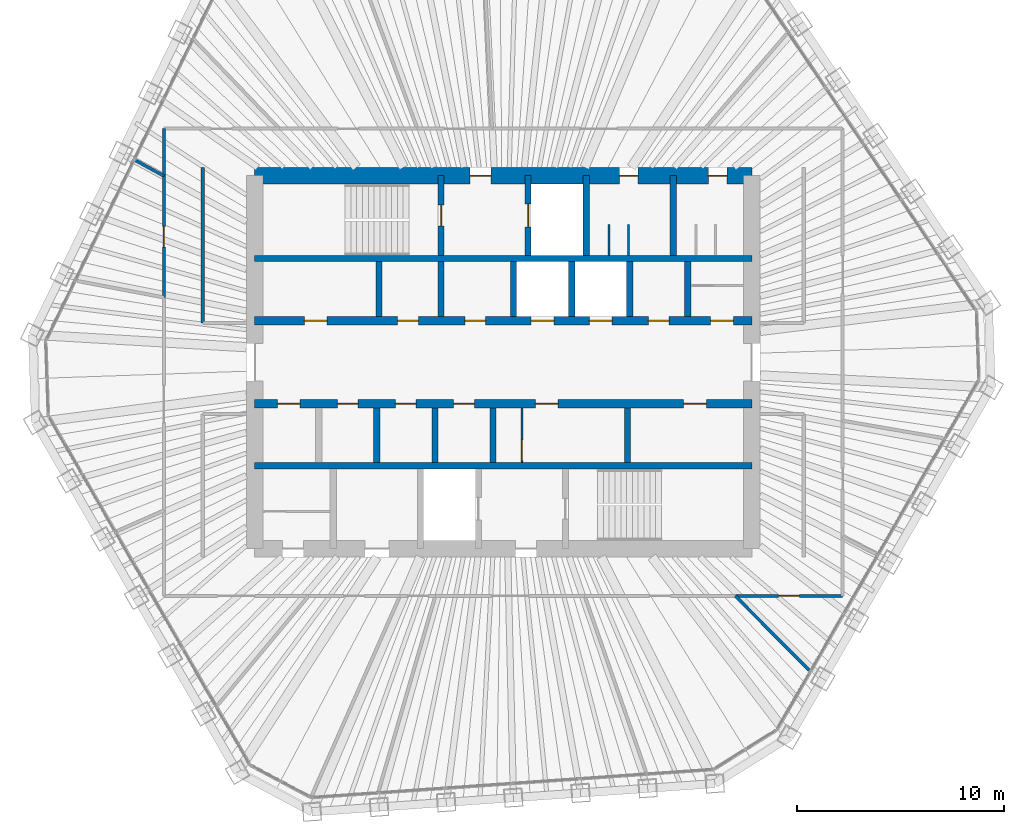
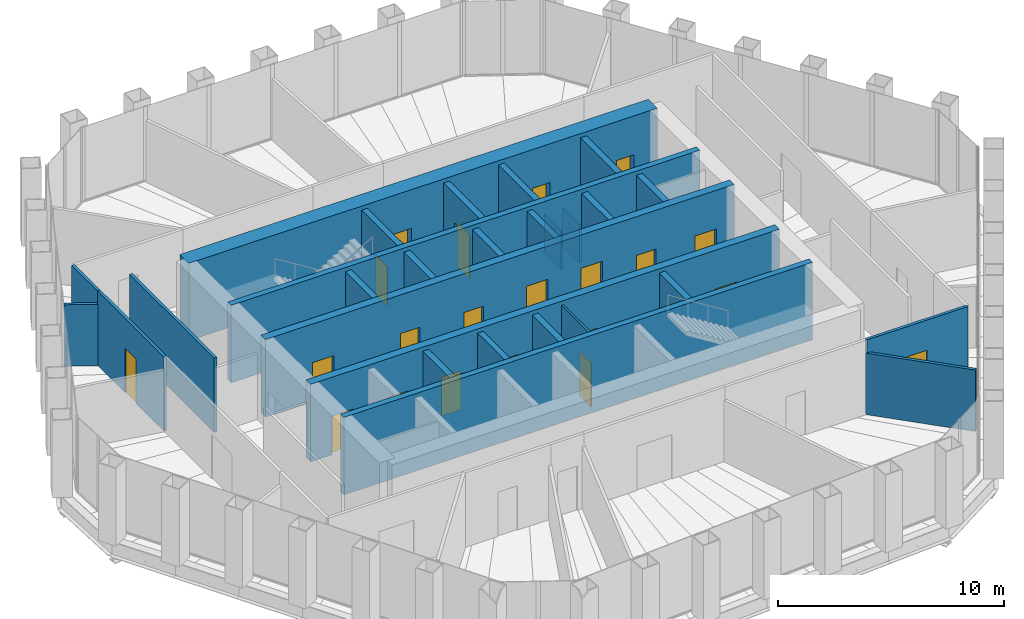
# One storey, part 12 of 14: 28 walls, 21 doors, 21 openings.
"""IFC4 building model written with IfcOpenShell, lengths in metres."""

from ifc_helpers import new_model, si_unit, direction, frame, frame_2d, origin, place, context, subcontext, project, spatial, rectangle, extrude, material, layer, layer_set, type_object, element, fill, save


model = new_model("IFC4")

# Units and contexts
model_context = context("Model", 3, precision=1e-05, world=origin(), true_north=direction((0.0, 1.0)))
body_context = subcontext(model_context, "Body", "Model", "MODEL_VIEW")
ifc_project = project(units=[si_unit("LENGTHUNIT", "METRE"), si_unit("AREAUNIT", "SQUARE_METRE"), si_unit("VOLUMEUNIT", "CUBIC_METRE"), si_unit("PLANEANGLEUNIT", "RADIAN"), si_unit("MASSUNIT", "GRAM", prefix="KILO")], contexts=[model_context])

# Site, building, storey
site_placement = place(None, origin())
site = spatial("IfcSite", under=ifc_project, at=site_placement, CompositionType="ELEMENT")
building_placement = place(site_placement, origin())
building = spatial("IfcBuilding", under=site, at=building_placement, Name="Qingtian Harvest Tower", CompositionType="ELEMENT")
storey_placement = place(building_placement, frame((0.0, 0.0, 308.199951171875)))
storey = spatial("IfcBuildingStorey", under=building, at=storey_placement, Name="L68", CompositionType="ELEMENT", Elevation=308.199951171875)

# Walls
ifc_material_1 = material(Name="Concrete fc' 70 MPa", Category="concrete")
ifc_layer_1 = layer(ifc_material_1, 0.300048828125)
ifc_layer_set_1 = layer_set([ifc_layer_1], Name="Core inner wall RC5 300")
wall_type_1 = type_object("IfcWallType", Name="Core inner wall RC5 300", PredefinedType="SHEAR", material=ifc_layer_set_1)
for number, where, z_axis, x_axis, name in (
    (1, (-12.0, 5.0, 0.0), (0.0, 0.0, 1.0), (1.0, 0.0, 0.0), "Core wall IN5 L68"),
    (2, (-12.0, -5.0, 0.0), (0.0, 0.0, 1.0), (1.0, 0.0, 0.0), "Core wall IS5 L68"),
):
    element("IfcWall", number, at=place(storey_placement, frame(where, z_axis=z_axis, x_axis=x_axis)), inside=storey, type_object=wall_type_1, Name=name, PredefinedType="SHEAR", context=body_context, shape_type="SweptSolid", body=[
        extrude(rectangle(XDim=24.0, YDim=0.300048828125, at=frame_2d((12.0, 0.0))), origin(), (0.0, 0.0, 1.0), 4.199951171875),
    ])

# Wall, openings, doors
ifc_material_2 = material(Name="Concrete fc' 70 MPa", Category="concrete")
ifc_layer_2 = layer(ifc_material_2, 0.39990234375)
ifc_layer_set_2 = layer_set([ifc_layer_2], Name="Core inner web RC6 400")
wall_type_2 = type_object("IfcWallType", Name="Core inner web RC6 400", PredefinedType="SHEAR", material=ifc_layer_set_2)
wall_1_placement = place(storey_placement, frame((-12.0, 2.0, 0.0), z_axis=(0.0, 0.0, 1.0), x_axis=(1.0, 0.0, 0.0)))
wall_1 = element("IfcWall", 3, at=wall_1_placement, inside=storey, type_object=wall_type_2, Name="Core wall IN2 L68", PredefinedType="SHEAR", context=body_context, shape_type="SweptSolid", body=[
    extrude(rectangle(XDim=24.0, YDim=0.39990234375, at=frame_2d((12.0, 0.0))), origin(), (0.0, 0.0, 1.0), 4.199951171875),
])
opening_1_placement = place(wall_1_placement, frame((2.39990234375, 0.0, 0.0)))
opening_1 = element("IfcOpeningElement", 4, at=opening_1_placement, cuts=wall_1, Name="Opening FD4", PredefinedType="OPENING", context=body_context, shape_type="SweptSolid", body=[
    extrude(rectangle(XDim=1.10009765625, YDim=2.10009765625, at=frame_2d((0.550048828125, 1.050048828125))), frame((0.0, 0.2099609375, 0.0), z_axis=(0.0, -1.0, 0.0), x_axis=(1.0, 0.0, 0.0)), (0.0, 0.0, 1.0), 0.419921875),
])
opening_2_placement = place(wall_1_placement, frame((22.0, 0.0, 0.0)))
opening_2 = element("IfcOpeningElement", 5, at=opening_2_placement, cuts=wall_1, Name="Opening FD4", PredefinedType="OPENING", context=body_context, shape_type="SweptSolid", body=[
    extrude(rectangle(XDim=1.10009765625, YDim=2.10009765625, at=frame_2d((0.550048828125, 1.050048828125))), frame((0.0, 0.2099609375, 0.0), z_axis=(0.0, -1.0, 0.0), x_axis=(1.0, 0.0, 0.0)), (0.0, 0.0, 1.0), 0.419921875),
])
opening_3_placement = place(wall_1_placement, frame((10.14990234375, 0.0, 0.0)))
opening_3 = element("IfcOpeningElement", 6, at=opening_3_placement, cuts=wall_1, Name="Opening FD1", PredefinedType="OPENING", context=body_context, shape_type="SweptSolid", body=[
    extrude(rectangle(XDim=1.0, YDim=2.10009765625, at=frame_2d((0.5, 1.050048828125))), frame((0.0, 0.2099609375, 0.0), z_axis=(0.0, -1.0, 0.0), x_axis=(1.0, 0.0, 0.0)), (0.0, 0.0, 1.0), 0.419921875),
])
opening_4_placement = place(wall_1_placement, frame((6.89990234375, 0.0, 0.0)))
opening_4 = element("IfcOpeningElement", 7, at=opening_4_placement, cuts=wall_1, Name="Opening FD1", PredefinedType="OPENING", context=body_context, shape_type="SweptSolid", body=[
    extrude(rectangle(XDim=1.0, YDim=2.10009765625, at=frame_2d((0.5, 1.050048828125))), frame((0.0, 0.2099609375, 0.0), z_axis=(0.0, -1.0, 0.0), x_axis=(1.0, 0.0, 0.0)), (0.0, 0.0, 1.0), 0.419921875),
])
opening_5_placement = place(wall_1_placement, frame((13.35009765625, 0.0, 0.0)))
opening_5 = element("IfcOpeningElement", 8, at=opening_5_placement, cuts=wall_1, Name="Opening LD1", PredefinedType="OPENING", context=body_context, shape_type="SweptSolid", body=[
    extrude(rectangle(XDim=1.10009765625, YDim=2.39990234375, at=frame_2d((0.550048828125, 1.199951171875))), frame((0.0, 0.2099609375, 0.0), z_axis=(0.0, -1.0, 0.0), x_axis=(1.0, 0.0, 0.0)), (0.0, 0.0, 1.0), 0.419921875),
])
opening_6_placement = place(wall_1_placement, frame((16.14990234375, 0.0, 0.0)))
opening_6 = element("IfcOpeningElement", 9, at=opening_6_placement, cuts=wall_1, Name="Opening LD1", PredefinedType="OPENING", context=body_context, shape_type="SweptSolid", body=[
    extrude(rectangle(XDim=1.10009765625, YDim=2.39990234375, at=frame_2d((0.550048828125, 1.199951171875))), frame((0.0, 0.2099609375, 0.0), z_axis=(0.0, -1.0, 0.0), x_axis=(1.0, 0.0, 0.0)), (0.0, 0.0, 1.0), 0.419921875),
])
opening_7_placement = place(wall_1_placement, frame((19.0, 0.0, 0.0)))
opening_7 = element("IfcOpeningElement", 10, at=opening_7_placement, cuts=wall_1, Name="Opening FD1", PredefinedType="OPENING", context=body_context, shape_type="SweptSolid", body=[
    extrude(rectangle(XDim=1.0, YDim=2.10009765625, at=frame_2d((0.5, 1.050048828125))), frame((0.0, 0.2099609375, 0.0), z_axis=(0.0, -1.0, 0.0), x_axis=(1.0, 0.0, 0.0)), (0.0, 0.0, 1.0), 0.419921875),
])
ifc_material_3 = material(Name="Steel-faced door leaf", Category="steel")
door_type_1 = type_object("IfcDoorType", Name="Fire door FD1 single 1 HR", OperationType="SINGLE_SWING_LEFT", PredefinedType="DOOR", material=ifc_material_3)
door_1_placement = place(opening_3_placement, origin())
door_1 = element("IfcDoor", 11, at=door_1_placement, inside=storey, type_object=door_type_1, Name="STA door L68", OperationType="SINGLE_SWING_LEFT", OverallHeight=2.10009765625, OverallWidth=1.0, PredefinedType="DOOR", context=body_context, shape_type="SweptSolid", body=[
    extrude(rectangle(XDim=1.0, YDim=2.10009765625, at=frame_2d((0.5, 1.050048828125))), frame((0.0, 0.02490234375, 0.0), z_axis=(0.0, -1.0, 0.0), x_axis=(1.0, 0.0, 0.0)), (0.0, 0.0, 1.0), 0.050048828125),
])
fill(opening_3, door_1)
door_2_placement = place(opening_4_placement, origin())
door_2 = element("IfcDoor", 12, at=door_2_placement, inside=storey, type_object=door_type_1, Name="IT room door L68", OperationType="SINGLE_SWING_LEFT", OverallHeight=2.10009765625, OverallWidth=1.0, PredefinedType="DOOR", context=body_context, shape_type="SweptSolid", body=[
    extrude(rectangle(XDim=1.0, YDim=2.10009765625, at=frame_2d((0.5, 1.050048828125))), frame((0.0, 0.02490234375, 0.0), z_axis=(0.0, -1.0, 0.0), x_axis=(1.0, 0.0, 0.0)), (0.0, 0.0, 1.0), 0.050048828125),
])
fill(opening_4, door_2)
door_3_placement = place(opening_7_placement, origin())
door_3 = element("IfcDoor", 13, at=door_3_placement, inside=storey, type_object=door_type_1, Name="Tool store door L68", OperationType="SINGLE_SWING_LEFT", OverallHeight=2.10009765625, OverallWidth=1.0, PredefinedType="DOOR", context=body_context, shape_type="SweptSolid", body=[
    extrude(rectangle(XDim=1.0, YDim=2.10009765625, at=frame_2d((0.5, 1.050048828125))), frame((0.0, 0.02490234375, 0.0), z_axis=(0.0, -1.0, 0.0), x_axis=(1.0, 0.0, 0.0)), (0.0, 0.0, 1.0), 0.050048828125),
])
fill(opening_7, door_3)
ifc_material_4 = material(Name="Steel-faced door leaf", Category="steel")
door_type_2 = type_object("IfcDoorType", Name="Fire door FD4 single 2 HR", OperationType="SINGLE_SWING_LEFT", PredefinedType="DOOR", material=ifc_material_4)
door_4_placement = place(opening_1_placement, origin())
door_4 = element("IfcDoor", 14, at=door_4_placement, inside=storey, type_object=door_type_2, Name="RA door L68", OperationType="SINGLE_SWING_RIGHT", OverallHeight=2.10009765625, OverallWidth=1.10009765625, PredefinedType="DOOR", context=body_context, shape_type="SweptSolid", body=[
    extrude(rectangle(XDim=1.10009765625, YDim=2.10009765625, at=frame_2d((0.550048828125, 1.050048828125))), frame((0.0, 0.02490234375, 0.0), z_axis=(0.0, -1.0, 0.0), x_axis=(1.0, 0.0, 0.0)), (0.0, 0.0, 1.0), 0.050048828125),
])
fill(opening_1, door_4)
door_5_placement = place(opening_2_placement, origin())
door_5 = element("IfcDoor", 15, at=door_5_placement, inside=storey, type_object=door_type_2, Name="AHU door L68", OperationType="SINGLE_SWING_RIGHT", OverallHeight=2.10009765625, OverallWidth=1.10009765625, PredefinedType="DOOR", context=body_context, shape_type="SweptSolid", body=[
    extrude(rectangle(XDim=1.10009765625, YDim=2.10009765625, at=frame_2d((0.550048828125, 1.050048828125))), frame((0.0, 0.02490234375, 0.0), z_axis=(0.0, -1.0, 0.0), x_axis=(1.0, 0.0, 0.0)), (0.0, 0.0, 1.0), 0.050048828125),
])
fill(opening_2, door_5)
ifc_material_5 = material(Name="Stainless steel lift landing door", Category="steel")
door_type_3 = type_object("IfcDoorType", Name="Lift landing door LD1 1 HR", OperationType="DOUBLE_DOOR_SLIDING", PredefinedType="DOOR", material=ifc_material_5)
door_6_placement = place(opening_5_placement, origin())
door_6 = element("IfcDoor", 16, at=door_6_placement, inside=storey, type_object=door_type_3, Name="PLD1 landing door L68", OperationType="DOUBLE_DOOR_SLIDING", OverallHeight=2.39990234375, OverallWidth=1.10009765625, PredefinedType="DOOR", context=body_context, shape_type="SweptSolid", body=[
    extrude(rectangle(XDim=1.10009765625, YDim=2.39990234375, at=frame_2d((0.550048828125, 1.199951171875))), frame((0.0, 0.02490234375, 0.0), z_axis=(0.0, -1.0, 0.0), x_axis=(1.0, 0.0, 0.0)), (0.0, 0.0, 1.0), 0.050048828125),
])
fill(opening_5, door_6)
door_7_placement = place(opening_6_placement, origin())
door_7 = element("IfcDoor", 17, at=door_7_placement, inside=storey, type_object=door_type_3, Name="PLD2 landing door L68", OperationType="DOUBLE_DOOR_SLIDING", OverallHeight=2.39990234375, OverallWidth=1.10009765625, PredefinedType="DOOR", context=body_context, shape_type="SweptSolid", body=[
    extrude(rectangle(XDim=1.10009765625, YDim=2.39990234375, at=frame_2d((0.550048828125, 1.199951171875))), frame((0.0, 0.02490234375, 0.0), z_axis=(0.0, -1.0, 0.0), x_axis=(1.0, 0.0, 0.0)), (0.0, 0.0, 1.0), 0.050048828125),
])
fill(opening_6, door_7)

wall_2_placement = place(storey_placement, frame((-12.0, -2.0, 0.0), z_axis=(0.0, 0.0, 1.0), x_axis=(1.0, 0.0, 0.0)))
wall_2 = element("IfcWall", 18, at=wall_2_placement, inside=storey, type_object=wall_type_2, Name="Core wall IS2 L68", PredefinedType="SHEAR", context=body_context, shape_type="SweptSolid", body=[
    extrude(rectangle(XDim=24.0, YDim=0.39990234375, at=frame_2d((12.0, 0.0))), origin(), (0.0, 0.0, 1.0), 4.199951171875),
])
opening_8_placement = place(wall_2_placement, frame((1.10009765625, 0.0, 0.0)))
opening_8 = element("IfcOpeningElement", 19, at=opening_8_placement, cuts=wall_2, Name="Opening FD4", PredefinedType="OPENING", context=body_context, shape_type="SweptSolid", body=[
    extrude(rectangle(XDim=1.10009765625, YDim=2.10009765625, at=frame_2d((0.550048828125, 1.050048828125))), frame((0.0, 0.2099609375, 0.0), z_axis=(0.0, -1.0, 0.0), x_axis=(1.0, 0.0, 0.0)), (0.0, 0.0, 1.0), 0.419921875),
])
opening_9_placement = place(wall_2_placement, frame((13.550048828125, 0.0, 0.0)))
opening_9 = element("IfcOpeningElement", 20, at=opening_9_placement, cuts=wall_2, Name="Opening FD4", PredefinedType="OPENING", context=body_context, shape_type="SweptSolid", body=[
    extrude(rectangle(XDim=1.10009765625, YDim=2.10009765625, at=frame_2d((0.550048828125, 1.050048828125))), frame((0.0, 0.2099609375, 0.0), z_axis=(0.0, -1.0, 0.0), x_axis=(1.0, 0.0, 0.0)), (0.0, 0.0, 1.0), 0.419921875),
])
opening_10_placement = place(wall_2_placement, frame((20.699951171875, 0.0, 0.0)))
opening_10 = element("IfcOpeningElement", 21, at=opening_10_placement, cuts=wall_2, Name="Opening FD4", PredefinedType="OPENING", context=body_context, shape_type="SweptSolid", body=[
    extrude(rectangle(XDim=1.10009765625, YDim=2.10009765625, at=frame_2d((0.550048828125, 1.050048828125))), frame((0.0, 0.2099609375, 0.0), z_axis=(0.0, -1.0, 0.0), x_axis=(1.0, 0.0, 0.0)), (0.0, 0.0, 1.0), 0.419921875),
])
opening_11_placement = place(wall_2_placement, frame((4.0, 0.0, 0.0)))
opening_11 = element("IfcOpeningElement", 22, at=opening_11_placement, cuts=wall_2, Name="Opening FD1", PredefinedType="OPENING", context=body_context, shape_type="SweptSolid", body=[
    extrude(rectangle(XDim=1.0, YDim=2.10009765625, at=frame_2d((0.5, 1.050048828125))), frame((0.0, 0.2099609375, 0.0), z_axis=(0.0, -1.0, 0.0), x_axis=(1.0, 0.0, 0.0)), (0.0, 0.0, 1.0), 0.419921875),
])
opening_12_placement = place(wall_2_placement, frame((6.800048828125, 0.0, 0.0)))
opening_12 = element("IfcOpeningElement", 23, at=opening_12_placement, cuts=wall_2, Name="Opening FD1", PredefinedType="OPENING", context=body_context, shape_type="SweptSolid", body=[
    extrude(rectangle(XDim=1.0, YDim=2.10009765625, at=frame_2d((0.5, 1.050048828125))), frame((0.0, 0.2099609375, 0.0), z_axis=(0.0, -1.0, 0.0), x_axis=(1.0, 0.0, 0.0)), (0.0, 0.0, 1.0), 0.419921875),
])
opening_13_placement = place(wall_2_placement, frame((9.60009765625, 0.0, 0.0)))
opening_13 = element("IfcOpeningElement", 24, at=opening_13_placement, cuts=wall_2, Name="Opening FD1", PredefinedType="OPENING", context=body_context, shape_type="SweptSolid", body=[
    extrude(rectangle(XDim=1.0, YDim=2.10009765625, at=frame_2d((0.5, 1.050048828125))), frame((0.0, 0.2099609375, 0.0), z_axis=(0.0, -1.0, 0.0), x_axis=(1.0, 0.0, 0.0)), (0.0, 0.0, 1.0), 0.419921875),
])
door_8_placement = place(opening_11_placement, origin())
door_8 = element("IfcDoor", 25, at=door_8_placement, inside=storey, type_object=door_type_1, Name="Staff WC door L68", OperationType="SINGLE_SWING_LEFT", OverallHeight=2.10009765625, OverallWidth=1.0, PredefinedType="DOOR", context=body_context, shape_type="SweptSolid", body=[
    extrude(rectangle(XDim=1.0, YDim=2.10009765625, at=frame_2d((0.5, 1.050048828125))), frame((0.0, 0.02490234375, 0.0), z_axis=(0.0, -1.0, 0.0), x_axis=(1.0, 0.0, 0.0)), (0.0, 0.0, 1.0), 0.050048828125),
])
fill(opening_11, door_8)
door_9_placement = place(opening_12_placement, origin())
door_9 = element("IfcDoor", 26, at=door_9_placement, inside=storey, type_object=door_type_1, Name="Tea point door L68", OperationType="SINGLE_SWING_LEFT", OverallHeight=2.10009765625, OverallWidth=1.0, PredefinedType="DOOR", context=body_context, shape_type="SweptSolid", body=[
    extrude(rectangle(XDim=1.0, YDim=2.10009765625, at=frame_2d((0.5, 1.050048828125))), frame((0.0, 0.02490234375, 0.0), z_axis=(0.0, -1.0, 0.0), x_axis=(1.0, 0.0, 0.0)), (0.0, 0.0, 1.0), 0.050048828125),
])
fill(opening_12, door_9)
door_10_placement = place(opening_13_placement, origin())
door_10 = element("IfcDoor", 27, at=door_10_placement, inside=storey, type_object=door_type_1, Name="Linen store door L68", OperationType="SINGLE_SWING_LEFT", OverallHeight=2.10009765625, OverallWidth=1.0, PredefinedType="DOOR", context=body_context, shape_type="SweptSolid", body=[
    extrude(rectangle(XDim=1.0, YDim=2.10009765625, at=frame_2d((0.5, 1.050048828125))), frame((0.0, 0.02490234375, 0.0), z_axis=(0.0, -1.0, 0.0), x_axis=(1.0, 0.0, 0.0)), (0.0, 0.0, 1.0), 0.050048828125),
])
fill(opening_13, door_10)
door_11_placement = place(opening_8_placement, origin())
door_11 = element("IfcDoor", 28, at=door_11_placement, inside=storey, type_object=door_type_2, Name="RB door L68", OperationType="SINGLE_SWING_RIGHT", OverallHeight=2.10009765625, OverallWidth=1.10009765625, PredefinedType="DOOR", context=body_context, shape_type="SweptSolid", body=[
    extrude(rectangle(XDim=1.10009765625, YDim=2.10009765625, at=frame_2d((0.550048828125, 1.050048828125))), frame((0.0, 0.02490234375, 0.0), z_axis=(0.0, -1.0, 0.0), x_axis=(1.0, 0.0, 0.0)), (0.0, 0.0, 1.0), 0.050048828125),
])
fill(opening_8, door_11)
door_12_placement = place(opening_9_placement, origin())
door_12 = element("IfcDoor", 29, at=door_12_placement, inside=storey, type_object=door_type_2, Name="ELEC door L68", OperationType="SINGLE_SWING_RIGHT", OverallHeight=2.10009765625, OverallWidth=1.10009765625, PredefinedType="DOOR", context=body_context, shape_type="SweptSolid", body=[
    extrude(rectangle(XDim=1.10009765625, YDim=2.10009765625, at=frame_2d((0.550048828125, 1.050048828125))), frame((0.0, 0.02490234375, 0.0), z_axis=(0.0, -1.0, 0.0), x_axis=(1.0, 0.0, 0.0)), (0.0, 0.0, 1.0), 0.050048828125),
])
fill(opening_9, door_12)
door_13_placement = place(opening_10_placement, origin())
door_13 = element("IfcDoor", 30, at=door_13_placement, inside=storey, type_object=door_type_2, Name="DUCT door L68", OperationType="SINGLE_SWING_LEFT", OverallHeight=2.10009765625, OverallWidth=1.10009765625, PredefinedType="DOOR", context=body_context, shape_type="SweptSolid", body=[
    extrude(rectangle(XDim=1.10009765625, YDim=2.10009765625, at=frame_2d((0.550048828125, 1.050048828125))), frame((0.0, 0.02490234375, 0.0), z_axis=(0.0, -1.0, 0.0), x_axis=(1.0, 0.0, 0.0)), (0.0, 0.0, 1.0), 0.050048828125),
])
fill(opening_10, door_13)

# Wall, opening, door
ifc_material_6 = material(Name="Precast concrete shaft panel", Category="concrete")
ifc_layer_3 = layer(ifc_material_6, 0.300048828125)
ifc_layer_set_3 = layer_set([ifc_layer_3], Name="Core shaft partition SW1 300")
wall_type_3 = type_object("IfcWallType", Name="Core shaft partition SW1 300", PredefinedType="PARTITIONING", material=ifc_layer_set_3)
wall_3_placement = place(storey_placement, frame((-3.0, 5.14990234375, 0.0), z_axis=(0.0, 0.0, 1.0), x_axis=(0.0, 1.0, 0.0)))
wall_3 = element("IfcWall", 31, at=wall_3_placement, inside=storey, type_object=wall_type_3, Name="Core shaft partition XN1 L68", PredefinedType="PARTITIONING", context=body_context, shape_type="SweptSolid", body=[
    extrude(rectangle(XDim=3.85009765625, YDim=0.300048828125, at=frame_2d((1.925048828125, 0.0))), origin(), (0.0, 0.0, 1.0), 3.97998046875),
])
opening_14_placement = place(wall_3_placement, frame((1.425048828125, 0.0, 0.0)))
opening_14 = element("IfcOpeningElement", 32, at=opening_14_placement, cuts=wall_3, Name="Opening FD1", PredefinedType="OPENING", context=body_context, shape_type="SweptSolid", body=[
    extrude(rectangle(XDim=1.0, YDim=2.10009765625, at=frame_2d((0.5, 1.050048828125))), frame((0.0, 0.159912109375, 0.0), z_axis=(0.0, -1.0, 0.0), x_axis=(1.0, 0.0, 0.0)), (0.0, 0.0, 1.0), 0.320068359375),
])
door_14_placement = place(opening_14_placement, origin())
door_14 = element("IfcDoor", 33, at=door_14_placement, inside=storey, type_object=door_type_1, Name="S1 door L68", OperationType="SINGLE_SWING_LEFT", OverallHeight=2.10009765625, OverallWidth=1.0, PredefinedType="DOOR", context=body_context, shape_type="SweptSolid", body=[
    extrude(rectangle(XDim=1.0, YDim=2.10009765625, at=frame_2d((0.5, 1.050048828125))), frame((0.0, 0.02490234375, 0.0), z_axis=(0.0, -1.0, 0.0), x_axis=(1.0, 0.0, 0.0)), (0.0, 0.0, 1.0), 0.050048828125),
])
fill(opening_14, door_14)

wall_4_placement = place(storey_placement, frame((1.199951171875, 5.14990234375, 0.0), z_axis=(0.0, 0.0, 1.0), x_axis=(0.0, 1.0, 0.0)))
wall_4 = element("IfcWall", 34, at=wall_4_placement, inside=storey, type_object=wall_type_3, Name="Core shaft partition XN2 L68", PredefinedType="PARTITIONING", context=body_context, shape_type="SweptSolid", body=[
    extrude(rectangle(XDim=3.85009765625, YDim=0.300048828125, at=frame_2d((1.925048828125, 0.0))), origin(), (0.0, 0.0, 1.0), 3.97998046875),
])
opening_15_placement = place(wall_4_placement, frame((1.375, 0.0, 0.0)))
opening_15 = element("IfcOpeningElement", 35, at=opening_15_placement, cuts=wall_4, Name="Opening LD1", PredefinedType="OPENING", context=body_context, shape_type="SweptSolid", body=[
    extrude(rectangle(XDim=1.10009765625, YDim=2.39990234375, at=frame_2d((0.550048828125, 1.199951171875))), frame((0.0, 0.159912109375, 0.0), z_axis=(0.0, -1.0, 0.0), x_axis=(1.0, 0.0, 0.0)), (0.0, 0.0, 1.0), 0.320068359375),
])
door_15_placement = place(opening_15_placement, origin())
door_15 = element("IfcDoor", 36, at=door_15_placement, inside=storey, type_object=door_type_3, Name="FL1 landing door L68", OperationType="DOUBLE_DOOR_SLIDING", OverallHeight=2.39990234375, OverallWidth=1.10009765625, PredefinedType="DOOR", context=body_context, shape_type="SweptSolid", body=[
    extrude(rectangle(XDim=1.10009765625, YDim=2.39990234375, at=frame_2d((0.550048828125, 1.199951171875))), frame((0.0, 0.02490234375, 0.0), z_axis=(0.0, -1.0, 0.0), x_axis=(1.0, 0.0, 0.0)), (0.0, 0.0, 1.0), 0.050048828125),
])
fill(opening_15, door_15)

# Walls
for number, where, z_axis, x_axis, name in (
    (37, (4.0, 5.14990234375, 0.0), (0.0, 0.0, 1.0), (0.0, 1.0, 0.0), "Core shaft partition XN3 L68"),
    (38, (8.199951171875, 5.14990234375, 0.0), (0.0, 0.0, 1.0), (0.0, 1.0, 0.0), "Core shaft partition XN4 L68"),
):
    element("IfcWall", number, at=place(storey_placement, frame(where, z_axis=z_axis, x_axis=x_axis)), inside=storey, type_object=wall_type_3, Name=name, PredefinedType="PARTITIONING", context=body_context, shape_type="SweptSolid", body=[
        extrude(rectangle(XDim=3.85009765625, YDim=0.300048828125, at=frame_2d((1.925048828125, 0.0))), origin(), (0.0, 0.0, 1.0), 3.97998046875),
    ])
for number, where, z_axis, x_axis, name in (
    (39, (-6.0, 2.199951171875, 0.0), (0.0, 0.0, 1.0), (0.0, 1.0, 0.0), "Core shaft partition XA1 L68"),
    (40, (-3.0, 2.199951171875, 0.0), (0.0, 0.0, 1.0), (0.0, 1.0, 0.0), "Core shaft partition XA2 L68"),
    (41, (0.5, 2.199951171875, 0.0), (0.0, 0.0, 1.0), (0.0, 1.0, 0.0), "Core shaft partition XA3 L68"),
    (42, (3.300048828125, 2.199951171875, 0.0), (0.0, 0.0, 1.0), (0.0, 1.0, 0.0), "Core shaft partition XA4 L68"),
    (43, (6.10009765625, 2.199951171875, 0.0), (0.0, 0.0, 1.0), (0.0, 1.0, 0.0), "Core shaft partition XA5 L68"),
    (44, (8.89990234375, 2.199951171875, 0.0), (0.0, 0.0, 1.0), (0.0, 1.0, 0.0), "Core shaft partition XA6 L68"),
    (45, (-6.10009765625, -4.85009765625, 0.0), (0.0, 0.0, 1.0), (0.0, 1.0, 0.0), "Core shaft partition XB2 L68"),
    (46, (-3.300048828125, -4.85009765625, 0.0), (0.0, 0.0, 1.0), (0.0, 1.0, 0.0), "Core shaft partition XB3 L68"),
    (47, (-0.5, -4.85009765625, 0.0), (0.0, 0.0, 1.0), (0.0, 1.0, 0.0), "Core shaft partition XB4 L68"),
    (48, (6.0, -4.85009765625, 0.0), (0.0, 0.0, 1.0), (0.0, 1.0, 0.0), "Core shaft partition XB5 L68"),
):
    element("IfcWall", number, at=place(storey_placement, frame(where, z_axis=z_axis, x_axis=x_axis)), inside=storey, type_object=wall_type_3, Name=name, PredefinedType="PARTITIONING", context=body_context, shape_type="SweptSolid", body=[
        extrude(rectangle(XDim=2.650146484375, YDim=0.300048828125, at=frame_2d((1.3251953125, 0.0))), origin(), (0.0, 0.0, 1.0), 3.97998046875),
    ])

# Wall, openings, doors
ifc_material_7 = material(Name="Concrete fc' 70 MPa", Category="concrete")
ifc_layer_4 = layer(ifc_material_7, 0.800048828125)
ifc_layer_set_4 = layer_set([ifc_layer_4], Name="Core wall RC4 800")
wall_type_4 = type_object("IfcWallType", Name="Core wall RC4 800", PredefinedType="SHEAR", material=ifc_layer_set_4)
wall_5_placement = place(storey_placement, frame((-12.0, 9.0, 0.0), z_axis=(0.0, 0.0, 1.0), x_axis=(1.0, 0.0, 0.0)))
wall_5 = element("IfcWall", 49, at=wall_5_placement, inside=storey, type_object=wall_type_4, Name="Core wall CN L68", PredefinedType="SHEAR", context=body_context, shape_type="SweptSolid", body=[
    extrude(rectangle(XDim=24.0, YDim=0.800048828125, at=frame_2d((12.0, 0.0))), origin(), (0.0, 0.0, 1.0), 4.199951171875),
])
opening_16_placement = place(wall_5_placement, frame((10.39990234375, 0.0, 0.0)))
opening_16 = element("IfcOpeningElement", 50, at=opening_16_placement, cuts=wall_5, Name="Opening FD1", PredefinedType="OPENING", context=body_context, shape_type="SweptSolid", body=[
    extrude(rectangle(XDim=1.0, YDim=2.10009765625, at=frame_2d((0.5, 1.050048828125))), frame((0.0, 0.409912109375, 0.0), z_axis=(0.0, -1.0, 0.0), x_axis=(1.0, 0.0, 0.0)), (0.0, 0.0, 1.0), 0.820068359375),
])
opening_17_placement = place(wall_5_placement, frame((17.60009765625, 0.0, 0.0)))
opening_17 = element("IfcOpeningElement", 51, at=opening_17_placement, cuts=wall_5, Name="Opening D1", PredefinedType="OPENING", context=body_context, shape_type="SweptSolid", body=[
    extrude(rectangle(XDim=0.89990234375, YDim=2.10009765625, at=frame_2d((0.449951171875, 1.050048828125))), frame((0.0, 0.409912109375, 0.0), z_axis=(0.0, -1.0, 0.0), x_axis=(1.0, 0.0, 0.0)), (0.0, 0.0, 1.0), 0.820068359375),
])
opening_18_placement = place(wall_5_placement, frame((21.89990234375, 0.0, 0.0)))
opening_18 = element("IfcOpeningElement", 52, at=opening_18_placement, cuts=wall_5, Name="Opening D1", PredefinedType="OPENING", context=body_context, shape_type="SweptSolid", body=[
    extrude(rectangle(XDim=0.89990234375, YDim=2.10009765625, at=frame_2d((0.449951171875, 1.050048828125))), frame((0.0, 0.409912109375, 0.0), z_axis=(0.0, -1.0, 0.0), x_axis=(1.0, 0.0, 0.0)), (0.0, 0.0, 1.0), 0.820068359375),
])
door_16_placement = place(opening_16_placement, origin())
door_16 = element("IfcDoor", 53, at=door_16_placement, inside=storey, type_object=door_type_1, Name="V1 door L68", OperationType="SINGLE_SWING_RIGHT", OverallHeight=2.10009765625, OverallWidth=1.0, PredefinedType="DOOR", context=body_context, shape_type="SweptSolid", body=[
    extrude(rectangle(XDim=1.0, YDim=2.10009765625, at=frame_2d((0.5, 1.050048828125))), frame((0.0, 0.02490234375, 0.0), z_axis=(0.0, -1.0, 0.0), x_axis=(1.0, 0.0, 0.0)), (0.0, 0.0, 1.0), 0.050048828125),
])
fill(opening_16, door_16)
ifc_material_8 = material(Name="Laminated timber door leaf", Category="wood")
door_type_4 = type_object("IfcDoorType", Name="Toilet door D1 single", OperationType="SINGLE_SWING_LEFT", PredefinedType="DOOR", material=ifc_material_8)
door_17_placement = place(opening_17_placement, origin())
door_17 = element("IfcDoor", 54, at=door_17_placement, inside=storey, type_object=door_type_4, Name="WCM door L68", OperationType="SINGLE_SWING_LEFT", OverallHeight=2.10009765625, OverallWidth=0.89990234375, PredefinedType="DOOR", context=body_context, shape_type="SweptSolid", body=[
    extrude(rectangle(XDim=0.89990234375, YDim=2.10009765625, at=frame_2d((0.449951171875, 1.050048828125))), frame((0.0, 0.02490234375, 0.0), z_axis=(0.0, -1.0, 0.0), x_axis=(1.0, 0.0, 0.0)), (0.0, 0.0, 1.0), 0.050048828125),
])
fill(opening_17, door_17)
door_18_placement = place(opening_18_placement, origin())
door_18 = element("IfcDoor", 55, at=door_18_placement, inside=storey, type_object=door_type_4, Name="WCF door L68", OperationType="SINGLE_SWING_LEFT", OverallHeight=2.10009765625, OverallWidth=0.89990234375, PredefinedType="DOOR", context=body_context, shape_type="SweptSolid", body=[
    extrude(rectangle(XDim=0.89990234375, YDim=2.10009765625, at=frame_2d((0.449951171875, 1.050048828125))), frame((0.0, 0.02490234375, 0.0), z_axis=(0.0, -1.0, 0.0), x_axis=(1.0, 0.0, 0.0)), (0.0, 0.0, 1.0), 0.050048828125),
])
fill(opening_18, door_18)

# Wall, opening, door
ifc_material_9 = material(Name="Gypsum board on steel studs", Category="steel")
ifc_layer_5 = layer(ifc_material_9, 0.14990234375)
ifc_layer_set_5 = layer_set([ifc_layer_5], Name="Partition PT1 150")
wall_type_5 = type_object("IfcWallType", Name="Partition PT1 150", PredefinedType="PARTITIONING", material=ifc_layer_set_5)
wall_6_placement = place(storey_placement, frame((16.375, -11.27490234375, 0.0), z_axis=(0.0, 0.0, 1.0), x_axis=(-1.0, 0.0, 0.0)))
wall_6 = element("IfcWall", 56, at=wall_6_placement, inside=storey, type_object=wall_type_5, Name="Private office wall L68", PredefinedType="PARTITIONING", context=body_context, shape_type="SweptSolid", body=[
    extrude(rectangle(XDim=5.180908203125, YDim=0.14990234375, at=frame_2d((2.59033203125, 0.0))), origin(), (0.0, 0.0, 1.0), 4.030029296875),
])
opening_19_placement = place(wall_6_placement, frame((2.090576171875, 0.0, 0.0)))
opening_19 = element("IfcOpeningElement", 57, at=opening_19_placement, cuts=wall_6, Name="Opening D2", PredefinedType="OPENING", context=body_context, shape_type="SweptSolid", body=[
    extrude(rectangle(XDim=1.0, YDim=2.39990234375, at=frame_2d((0.5, 1.199951171875))), frame((0.0, 0.0849609375, 0.0), z_axis=(0.0, -1.0, 0.0), x_axis=(1.0, 0.0, 0.0)), (0.0, 0.0, 1.0), 0.169921875),
])
ifc_material_10 = material(Name="Laminated timber door leaf", Category="wood")
door_type_5 = type_object("IfcDoorType", Name="Room door D2 single", OperationType="SINGLE_SWING_LEFT", PredefinedType="DOOR", material=ifc_material_10)
door_19_placement = place(opening_19_placement, origin())
door_19 = element("IfcDoor", 58, at=door_19_placement, inside=storey, type_object=door_type_5, Name="Private office door L68", OperationType="SINGLE_SWING_LEFT", OverallHeight=2.39990234375, OverallWidth=1.0, PredefinedType="DOOR", context=body_context, shape_type="SweptSolid", body=[
    extrude(rectangle(XDim=1.0, YDim=2.39990234375, at=frame_2d((0.5, 1.199951171875))), frame((0.0, 0.02490234375, 0.0), z_axis=(0.0, -1.0, 0.0), x_axis=(1.0, 0.0, 0.0)), (0.0, 0.0, 1.0), 0.050048828125),
])
fill(opening_19, door_19)

# Wall
wall_7_placement = place(storey_placement, frame((14.7509765625, -14.857666015625, 0.0), z_axis=(0.0, 0.0, 1.0), x_axis=(-0.704539120613, 0.709665151692, 0.0)))
element("IfcWall", 59, at=wall_7_placement, inside=storey, type_object=wall_type_5, Name="Focus room wall L68", PredefinedType="PARTITIONING", context=body_context, shape_type="SweptSolid", body=[
    extrude(rectangle(XDim=5.048583984375, YDim=0.14990234375, at=frame_2d((2.5244140625, 0.0))), origin(), (0.0, 0.0, 1.0), 3.330078125),
])

# Wall, opening, door
wall_8_placement = place(storey_placement, frame((-16.375, 3.121826171875, 0.0), z_axis=(0.0, 0.0, 1.0), x_axis=(0.0, 1.0, 0.0)))
wall_8 = element("IfcWall", 60, at=wall_8_placement, inside=storey, type_object=wall_type_5, Name="Pantry wall L68", PredefinedType="PARTITIONING", context=body_context, shape_type="SweptSolid", body=[
    extrude(rectangle(XDim=5.864990234375, YDim=0.14990234375, at=frame_2d((2.9326171875, 0.0))), origin(), (0.0, 0.0, 1.0), 4.030029296875),
])
opening_20_placement = place(wall_8_placement, frame((2.4326171875, 0.0, 0.0)))
opening_20 = element("IfcOpeningElement", 61, at=opening_20_placement, cuts=wall_8, Name="Opening D2", PredefinedType="OPENING", context=body_context, shape_type="SweptSolid", body=[
    extrude(rectangle(XDim=1.0, YDim=2.39990234375, at=frame_2d((0.5, 1.199951171875))), frame((0.0, 0.0849609375, 0.0), z_axis=(0.0, -1.0, 0.0), x_axis=(1.0, 0.0, 0.0)), (0.0, 0.0, 1.0), 0.169921875),
])
door_20_placement = place(opening_20_placement, origin())
door_20 = element("IfcDoor", 62, at=door_20_placement, inside=storey, type_object=door_type_5, Name="Pantry door L68", OperationType="SINGLE_SWING_RIGHT", OverallHeight=2.39990234375, OverallWidth=1.0, PredefinedType="DOOR", context=body_context, shape_type="SweptSolid", body=[
    extrude(rectangle(XDim=1.0, YDim=2.39990234375, at=frame_2d((0.5, 1.199951171875))), frame((0.0, 0.02490234375, 0.0), z_axis=(0.0, -1.0, 0.0), x_axis=(1.0, 0.0, 0.0)), (0.0, 0.0, 1.0), 0.050048828125),
])
fill(opening_20, door_20)

# Walls
wall_9_placement = place(storey_placement, frame((-17.72900390625, 9.72998046875, 0.0), z_axis=(0.0, 0.0, 1.0), x_axis=(0.876636074137, -0.48115402266, 0.0)))
element("IfcWall", 63, at=wall_9_placement, inside=storey, type_object=wall_type_5, Name="Meeting room wall L68", PredefinedType="PARTITIONING", context=body_context, shape_type="SweptSolid", body=[
    extrude(rectangle(XDim=1.54443359375, YDim=0.14990234375, at=frame_2d((0.772216796875, 0.0))), origin(), (0.0, 0.0, 1.0), 3.330078125),
])
wall_10_placement = place(storey_placement, frame((-16.375, 8.98681640625, 0.0), z_axis=(0.0, 0.0, 1.0), x_axis=(0.0, 1.0, 0.0)))
element("IfcWall", 64, at=wall_10_placement, inside=storey, type_object=wall_type_5, Name="Meeting room wall L68", PredefinedType="PARTITIONING", context=body_context, shape_type="SweptSolid", body=[
    extrude(rectangle(XDim=2.2880859375, YDim=0.14990234375, at=frame_2d((1.14404296875, 0.0))), origin(), (0.0, 0.0, 1.0), 4.030029296875),
])
wall_11_placement = place(storey_placement, frame((-14.5, 1.89990234375, 0.0), z_axis=(0.0, 0.0, 1.0), x_axis=(0.0, 1.0, 0.0)))
element("IfcWall", 65, at=wall_11_placement, inside=storey, type_object=wall_type_5, Name="Breakout space wall L68", PredefinedType="PARTITIONING", context=body_context, shape_type="SweptSolid", body=[
    extrude(rectangle(XDim=7.5, YDim=0.14990234375, at=frame_2d((3.75, 0.0))), origin(), (0.0, 0.0, 1.0), 4.030029296875),
])

# Wall, opening, door
ifc_material_11 = material(Name="Concrete block partition", Category="concrete")
ifc_layer_6 = layer(ifc_material_11, 0.10009765625)
ifc_layer_set_6 = layer_set([ifc_layer_6], Name="Store partition PT3 100")
wall_type_6 = type_object("IfcWallType", Name="Store partition PT3 100", PredefinedType="PARTITIONING", material=ifc_layer_set_6)
wall_12_placement = place(storey_placement, frame((0.89990234375, -4.85009765625, 0.0), z_axis=(0.0, 0.0, 1.0), x_axis=(0.0, 1.0, 0.0)))
wall_12 = element("IfcWall", 66, at=wall_12_placement, inside=storey, type_object=wall_type_6, Name="Comms room wall L68", PredefinedType="PARTITIONING", context=body_context, shape_type="SweptSolid", body=[
    extrude(rectangle(XDim=2.650146484375, YDim=0.10009765625, at=frame_2d((1.3251953125, 0.0))), origin(), (0.0, 0.0, 1.0), 3.97998046875),
])
opening_21_placement = place(wall_12_placement, frame((0.10009765625, 0.0, 0.0)))
opening_21 = element("IfcOpeningElement", 67, at=opening_21_placement, cuts=wall_12, Name="Opening D2", PredefinedType="OPENING", context=body_context, shape_type="SweptSolid", body=[
    extrude(rectangle(XDim=1.0, YDim=2.39990234375, at=frame_2d((0.5, 1.199951171875))), frame((0.0, 0.06005859375, 0.0), z_axis=(0.0, -1.0, 0.0), x_axis=(1.0, 0.0, 0.0)), (0.0, 0.0, 1.0), 0.1201171875),
])
door_21_placement = place(opening_21_placement, origin())
door_21 = element("IfcDoor", 68, at=door_21_placement, inside=storey, type_object=door_type_5, Name="Comms room door L68", OperationType="SINGLE_SWING_RIGHT", OverallHeight=2.39990234375, OverallWidth=1.0, PredefinedType="DOOR", context=body_context, shape_type="SweptSolid", body=[
    extrude(rectangle(XDim=1.0, YDim=2.39990234375, at=frame_2d((0.5, 1.199951171875))), frame((0.0, 0.02490234375, 0.0), z_axis=(0.0, -1.0, 0.0), x_axis=(1.0, 0.0, 0.0)), (0.0, 0.0, 1.0), 0.050048828125),
])
fill(opening_21, door_21)

# Walls
ifc_material_12 = material(Name="Compact laminate cubicle partition", Category="plastic")
ifc_layer_7 = layer(ifc_material_12, 0.10009765625)
ifc_layer_set_7 = layer_set([ifc_layer_7], Name="WC cubicle partition WP1 100")
wall_type_7 = type_object("IfcWallType", Name="WC cubicle partition WP1 100", PredefinedType="PARTITIONING", material=ifc_layer_set_7)
for number, where, z_axis, x_axis, name in (
    (69, (5.10009765625, 5.14990234375, 0.0), (0.0, 0.0, 1.0), (0.0, 1.0, 0.0), "WC cubicle partition WCM L68"),
    (70, (6.050048828125, 5.14990234375, 0.0), (0.0, 0.0, 1.0), (0.0, 1.0, 0.0), "WC cubicle partition WCM L68"),
):
    element("IfcWall", number, at=place(storey_placement, frame(where, z_axis=z_axis, x_axis=x_axis)), inside=storey, type_object=wall_type_7, Name=name, PredefinedType="PARTITIONING", context=body_context, shape_type="SweptSolid", body=[
        extrude(rectangle(XDim=1.5, YDim=0.10009765625, at=frame_2d((0.75, 0.0))), origin(), (0.0, 0.0, 1.0), 2.10009765625),
    ])

save(model, "model.ifc")
